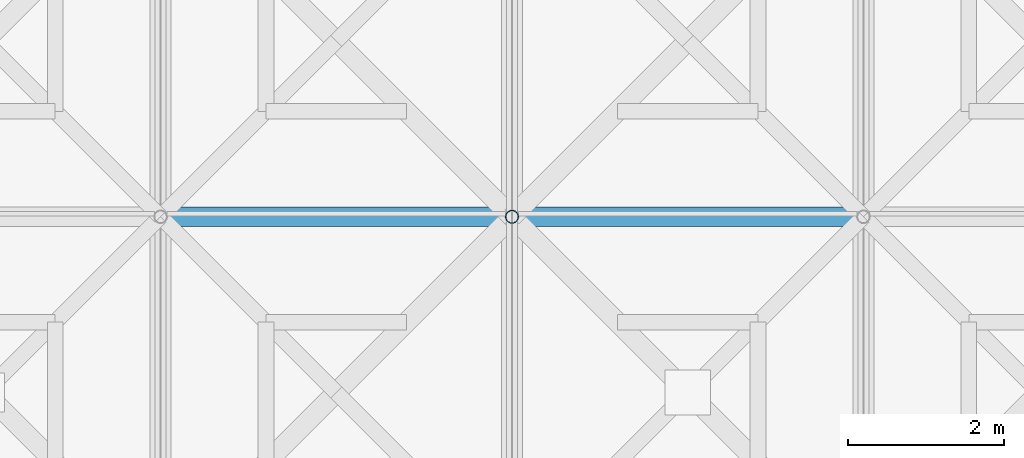
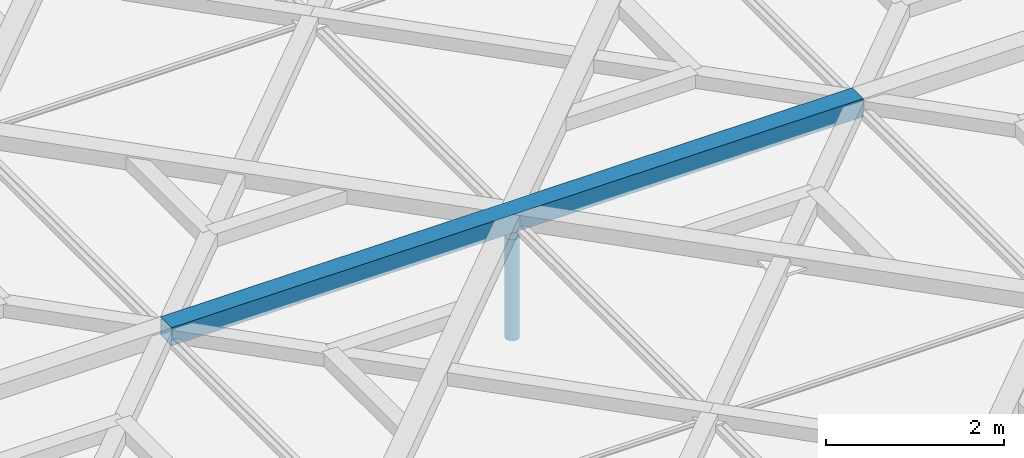
# One storey, part 33 of 80: 2 members.
"""IFC4 building model written with IfcOpenShell, lengths in metres."""

from ifc_helpers import new_model, si_unit, direction, frame, origin, origin_2d, place, context, subcontext, project, spatial, hollow_rectangle, hollow_circle, extrude, material, material_profile, profile_set, type_object, element, save


model = new_model("IFC4")

# Units and contexts
model_context = context("Model", 3, precision=1e-05, world=origin(), true_north=direction((0.0, 1.0)))
body_context = subcontext(model_context, "Body", "Model", "MODEL_VIEW")
ifc_project = project(units=[si_unit("LENGTHUNIT", "METRE"), si_unit("AREAUNIT", "SQUARE_METRE"), si_unit("VOLUMEUNIT", "CUBIC_METRE"), si_unit("PLANEANGLEUNIT", "RADIAN"), si_unit("MASSUNIT", "GRAM", prefix="KILO"), si_unit("THERMODYNAMICTEMPERATUREUNIT", "KELVIN"), si_unit("POWERUNIT", "WATT")], contexts=[model_context])

# Site, building, storey
site_placement = place(None, origin())
site = spatial("IfcSite", under=ifc_project, at=site_placement, CompositionType="ELEMENT")
building_placement = place(site_placement, origin())
building = spatial("IfcBuilding", under=site, at=building_placement, Name="Tallowbark Science Centre", CompositionType="ELEMENT")
storey_placement = place(building_placement, frame((0.0, 0.0, 25.949951171875)))
storey = spatial("IfcBuildingStorey", under=building, at=storey_placement, Name="ROOF", CompositionType="ELEMENT", Elevation=25.949951171875)

# Members
ifc_material = material(Name="White Architectural Painted Steel Grade C350L0 (350 MPa)", Category="steel")
ifc_material_profile_1 = material_profile(ifc_material, hollow_rectangle(XDim=0.25, YDim=0.25, WallThickness=0.009033203125, at=origin_2d()), Name="250x250x9.0SHS")
ifc_profile_set_1 = profile_set([ifc_material_profile_1], Name="White Architectural Painted Steel Grade C350L0 (350 MPa)")
member_type_1 = type_object("IfcMemberType", Name="SCR-CHD200", PredefinedType="CHORD", material=ifc_profile_set_1)
member_1_placement = place(storey_placement, frame((76.5, 22.5, 0.449951171875), z_axis=(1.0, 0.0, 0.0), x_axis=(0.0, 1.0, 0.0)))
element("IfcMember", 1, at=member_1_placement, inside=storey, type_object=member_type_1, Name="Star Screen Frame Chord TOP-63", PredefinedType="CHORD", context=body_context, shape_type="SweptSolid", body=[
    extrude(hollow_rectangle(XDim=0.25, YDim=0.25, WallThickness=0.009033203125, at=origin_2d()), origin(), (0.0, 0.0, 1.0), 9.0),
])
ifc_material_profile_2 = material_profile(ifc_material, hollow_circle(Radius=0.084228515625, WallThickness=0.007080078125, at=origin_2d()), Name="168.3x7.1CHS")
ifc_profile_set_2 = profile_set([ifc_material_profile_2], Name="White Architectural Painted Steel Grade C350L0 (350 MPa)")
member_type_2 = type_object("IfcMemberType", Name="TR-WEB168", PredefinedType="BRACE", material=ifc_profile_set_2)
member_2_placement = place(storey_placement, frame((81.0, 22.5, -1.199951171875), z_axis=(0.0, 0.0, 1.0), x_axis=(1.0, 0.0, 0.0)))
element("IfcMember", 2, at=member_2_placement, inside=storey, type_object=member_type_2, Name="Exhibition Roof Truss Web 6-22.5", PredefinedType="BRACE", context=body_context, shape_type="SweptSolid", body=[
    extrude(hollow_circle(Radius=0.084228515625, WallThickness=0.007080078125, at=origin_2d()), origin(), (0.0, 0.0, 1.0), 1.389892578125),
])

save(model, "model.ifc")
